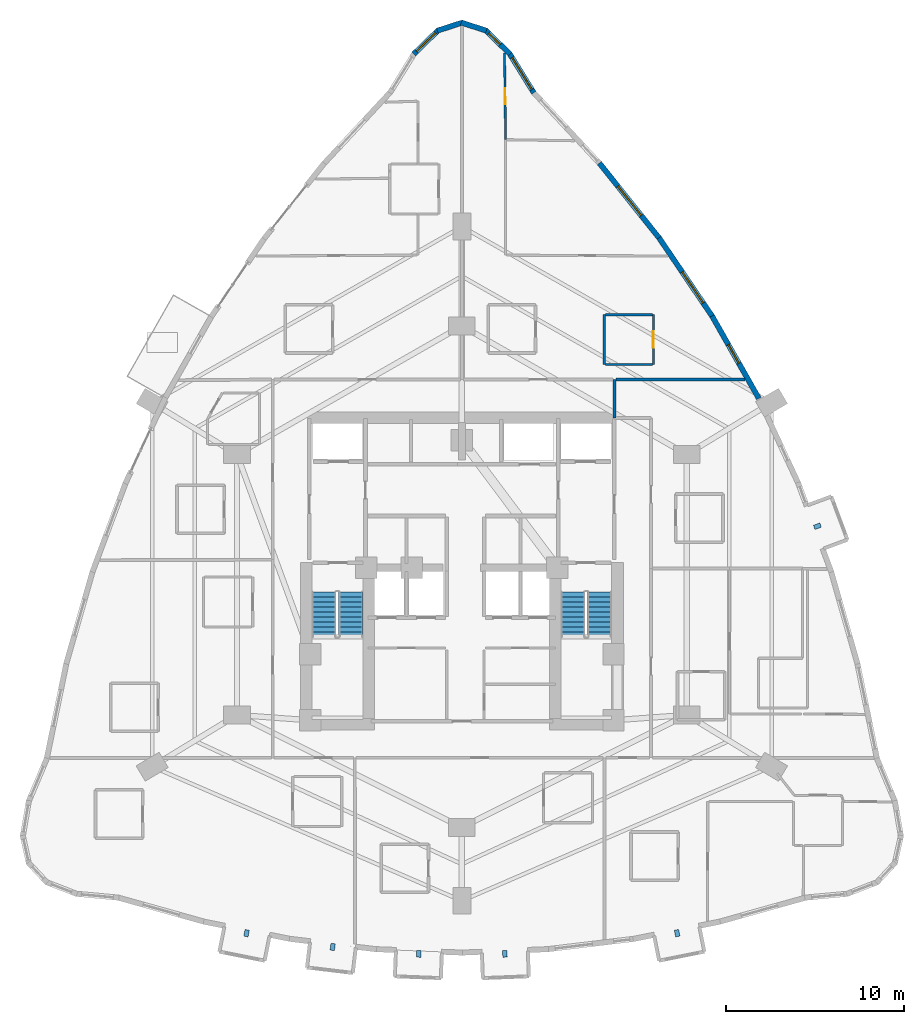
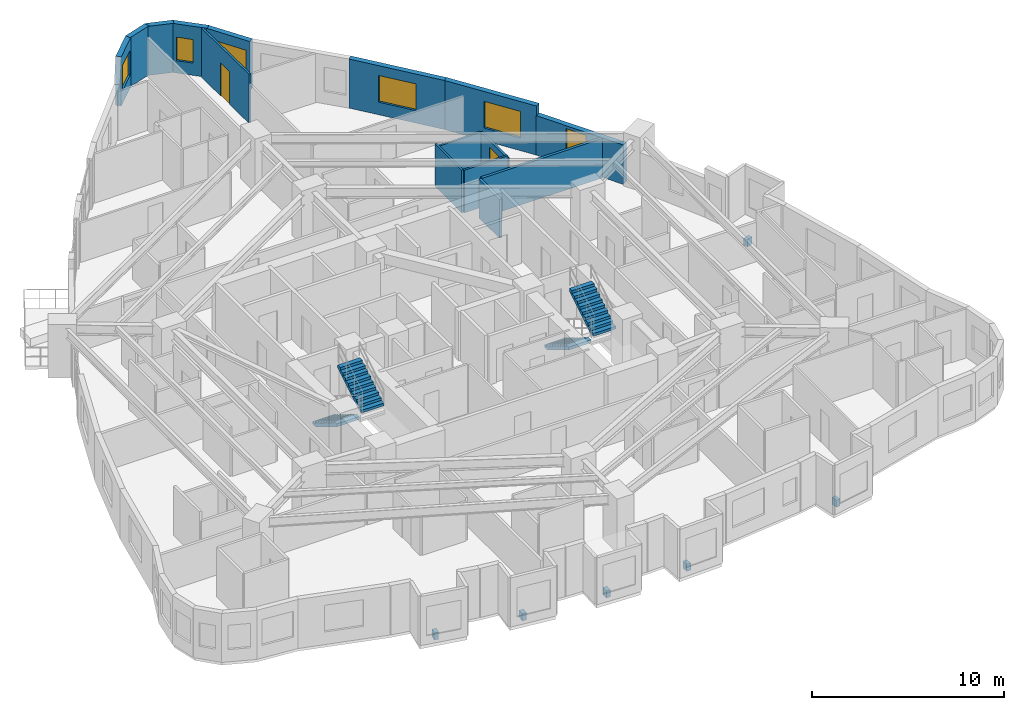
# One storey, part 16 of 17: 15 walls, 6 discrete accessories, 6 windows, 4 stair flights, 2 doors, 8 openings, 2 elements without a shape of their own.
"""IFC4 building model written with IfcOpenShell, lengths in metres."""

from ifc_helpers import new_model, si_unit, direction, frame, frame_2d, origin, origin_2d, place, context, subcontext, project, spatial, polyline, rectangle, outline, extrude, material, layer, layer_set, type_object, element, fill, aggregate, save


model = new_model("IFC4")

# Units and contexts
model_context = context("Model", 3, precision=1e-05, world=origin(), true_north=direction((0.0, 1.0)))
body_context = subcontext(model_context, "Body", "Model", "MODEL_VIEW")
ifc_project = project(units=[si_unit("LENGTHUNIT", "METRE"), si_unit("AREAUNIT", "SQUARE_METRE"), si_unit("VOLUMEUNIT", "CUBIC_METRE"), si_unit("PLANEANGLEUNIT", "RADIAN"), si_unit("MASSUNIT", "GRAM", prefix="KILO")], contexts=[model_context])

# Site, building, storey
site_placement = place(None, origin())
site = spatial("IfcSite", under=ifc_project, at=site_placement, CompositionType="ELEMENT")
building_placement = place(site_placement, origin())
building = spatial("IfcBuilding", under=site, at=building_placement, Name="Miruveldt Soraemaru", CompositionType="ELEMENT")
storey_placement = place(building_placement, frame((0.0, 0.0, 53.0)))
storey = spatial("IfcBuildingStorey", under=building, at=storey_placement, Name="L14", CompositionType="ELEMENT", Elevation=53.0)

# Wall, opening, window
ifc_material_1 = material(Name="Precast concrete C45/55 (45 MPa)", Category="concrete")
ifc_layer_1 = layer(ifc_material_1, 0.300048828125, Name="Precast concrete C45/55 (45 MPa)", Category="concrete")
ifc_layer_set_1 = layer_set([ifc_layer_1], Name="Precast concrete C45/55 (45 MPa)")
wall_type_1 = type_object("IfcWallType", Name="WALL-EXT-PC300", PredefinedType="SOLIDWALL", material=ifc_layer_set_1)
wall_1_placement = place(storey_placement, frame((48.034912109375, 70.666748046875, 0.0), z_axis=(0.0, 0.0, 1.0), x_axis=(-0.526091034917, 0.850428258573, 0.0)))
wall_1 = element("IfcWall", 1, at=wall_1_placement, inside=storey, type_object=wall_type_1, Name="L14 Precast Concrete Facade Wall 1", PredefinedType="SOLIDWALL", context=body_context, shape_type="SweptSolid", body=[
    extrude(rectangle(XDim=2.614990234375, YDim=0.300048828125, at=frame_2d((1.3076171875, 0.0))), origin(), (0.0, 0.0, 1.0), 3.125),
])
opening_1_placement = place(wall_1_placement, frame((0.216064453125, 0.0, 0.800048828125)))
opening_1 = element("IfcOpeningElement", 2, at=opening_1_placement, cuts=wall_1, Name="Opening WN-1", PredefinedType="OPENING", context=body_context, shape_type="SweptSolid", body=[
    extrude(rectangle(XDim=2.10009765625, YDim=1.699951171875, at=frame_2d((1.050048828125, 0.85009765625))), frame((0.0, 0.16015625, 0.0), z_axis=(0.0, -1.0, 0.0), x_axis=(1.0, 0.0, 0.0)), (0.0, 0.0, 1.0), 0.320068359375),
])
ifc_material_2 = material(Name="Triple low-e insulated glazing", Category="glass")
window_type_1 = type_object("IfcWindowType", Name="WIN-PUNCH-2100x1700", PartitioningType="SINGLE_PANEL", PredefinedType="WINDOW", material=ifc_material_2)
window_1_placement = place(opening_1_placement, origin())
window_1 = element("IfcWindow", 3, at=window_1_placement, inside=storey, type_object=window_type_1, Name="L14 Punched Triple-Glazed Window 01.1", OverallHeight=1.699951171875, OverallWidth=2.10009765625, PartitioningType="SINGLE_PANEL", PredefinedType="WINDOW", context=body_context, shape_type="SweptSolid", body=[
    extrude(rectangle(XDim=2.10009765625, YDim=1.699951171875, at=frame_2d((1.050048828125, 0.85009765625))), frame((0.0, 0.030029296875, 0.0), z_axis=(0.0, -1.0, 0.0), x_axis=(1.0, 0.0, 0.0)), (0.0, 0.0, 1.0), 0.06005859375),
])
fill(opening_1, window_1)

wall_2_placement = place(storey_placement, frame((46.702880859375, 72.83642578125, 0.0), z_axis=(0.0, 0.0, 1.0), x_axis=(-0.717810593765, 0.69623843005, 0.0)))
wall_2 = element("IfcWall", 4, at=wall_2_placement, inside=storey, type_object=wall_type_1, Name="L14 Precast Concrete Facade Wall 2", PredefinedType="SOLIDWALL", context=body_context, shape_type="SweptSolid", body=[
    extrude(rectangle(XDim=1.935302734375, YDim=0.300048828125, at=frame_2d((0.9677734375, 0.0))), origin(), (0.0, 0.0, 1.0), 3.125),
])
opening_2_placement = place(wall_2_placement, frame((0.77392578125, 0.0, 0.780029296875)))
opening_2 = element("IfcOpeningElement", 5, at=opening_2_placement, cuts=wall_2, Name="Opening WN-7", PredefinedType="OPENING", context=body_context, shape_type="SweptSolid", body=[
    extrude(rectangle(XDim=0.89990234375, YDim=1.5, at=frame_2d((0.449951171875, 0.75))), frame((0.0, 0.16015625, 0.0), z_axis=(0.0, -1.0, 0.0), x_axis=(1.0, 0.0, 0.0)), (0.0, 0.0, 1.0), 0.320068359375),
])
window_type_2 = type_object("IfcWindowType", Name="WIN-PUNCH-900x1500", PartitioningType="SINGLE_PANEL", PredefinedType="WINDOW", material=ifc_material_2)
window_2_placement = place(opening_2_placement, origin())
window_2 = element("IfcWindow", 6, at=window_2_placement, inside=storey, type_object=window_type_2, Name="L14 Punched Triple-Glazed Window 02.1", OverallHeight=1.5, OverallWidth=0.89990234375, PartitioningType="SINGLE_PANEL", PredefinedType="WINDOW", context=body_context, shape_type="SweptSolid", body=[
    extrude(rectangle(XDim=0.89990234375, YDim=1.5, at=frame_2d((0.449951171875, 0.75))), frame((0.0, 0.030029296875, 0.0), z_axis=(0.0, -1.0, 0.0), x_axis=(1.0, 0.0, 0.0)), (0.0, 0.0, 1.0), 0.06005859375),
])
fill(opening_2, window_2)

# Walls
for number, where, z_axis, x_axis, name in (
    (7, (45.3720703125, 74.148681640625, 0.0), (0.0, 0.0, 1.0), (-0.951455908845, 0.307785076836, 0.0), "L14 Precast Concrete Facade Wall 3"),
    (8, (44.033203125, 74.603271484375, 0.0), (0.0, 0.0, 1.0), (-0.951455908845, -0.307785076836, 0.0), "L14 Precast Concrete Facade Wall 4"),
):
    element("IfcWall", number, at=place(storey_placement, frame(where, z_axis=z_axis, x_axis=x_axis)), inside=storey, type_object=wall_type_1, Name=name, PredefinedType="SOLIDWALL", context=body_context, shape_type="SweptSolid", body=[
        extrude(rectangle(XDim=1.47705078125, YDim=0.300048828125, at=frame_2d((0.738525390625, 0.0))), origin(), (0.0, 0.0, 1.0), 3.125),
    ])

# Wall, opening, window
wall_3_placement = place(storey_placement, frame((42.686279296875, 74.183837890625, 0.0), z_axis=(0.0, 0.0, 1.0), x_axis=(-0.717810593765, -0.69623843005, 0.0)))
wall_3 = element("IfcWall", 9, at=wall_3_placement, inside=storey, type_object=wall_type_1, Name="L14 Precast Concrete Facade Wall 5", PredefinedType="SOLIDWALL", context=body_context, shape_type="SweptSolid", body=[
    extrude(rectangle(XDim=1.935302734375, YDim=0.300048828125, at=frame_2d((0.9677734375, 0.0))), origin(), (0.0, 0.0, 1.0), 3.125),
])
opening_3_placement = place(wall_3_placement, frame((0.217041015625, 0.0, 0.800048828125)))
opening_3 = element("IfcOpeningElement", 10, at=opening_3_placement, cuts=wall_3, Name="Opening WN-3", PredefinedType="OPENING", context=body_context, shape_type="SweptSolid", body=[
    extrude(rectangle(XDim=1.5, YDim=1.60009765625, at=frame_2d((0.75, 0.800048828125))), frame((0.0, 0.16015625, 0.0), z_axis=(0.0, -1.0, 0.0), x_axis=(1.0, 0.0, 0.0)), (0.0, 0.0, 1.0), 0.320068359375),
])
window_type_3 = type_object("IfcWindowType", Name="WIN-PUNCH-1500x1600", PartitioningType="SINGLE_PANEL", PredefinedType="WINDOW", material=ifc_material_2)
window_3_placement = place(opening_3_placement, origin())
window_3 = element("IfcWindow", 11, at=window_3_placement, inside=storey, type_object=window_type_3, Name="L14 Punched Triple-Glazed Window 05.1", OverallHeight=1.60009765625, OverallWidth=1.5, PartitioningType="SINGLE_PANEL", PredefinedType="WINDOW", context=body_context, shape_type="SweptSolid", body=[
    extrude(rectangle(XDim=1.5, YDim=1.60009765625, at=frame_2d((0.75, 0.800048828125))), frame((0.0, 0.030029296875, 0.0), z_axis=(0.0, -1.0, 0.0), x_axis=(1.0, 0.0, 0.0)), (0.0, 0.0, 1.0), 0.06005859375),
])
fill(opening_3, window_3)

wall_4_placement = place(storey_placement, frame((60.648193359375, 53.531982421875, 0.0), z_axis=(0.0, 0.0, 1.0), x_axis=(-0.493372197002, 0.869818300121, 0.0)))
wall_4 = element("IfcWall", 12, at=wall_4_placement, inside=storey, type_object=wall_type_1, Name="L14 Precast Concrete Facade Wall 39", PredefinedType="SOLIDWALL", context=body_context, shape_type="SweptSolid", body=[
    extrude(rectangle(XDim=5.326416015625, YDim=0.300048828125, at=frame_2d((2.6630859375, 0.0))), origin(), (0.0, 0.0, 1.0), 2.512939453125),
])
opening_4_placement = place(wall_4_placement, frame((2.27294921875, 0.0, 0.780029296875)))
opening_4 = element("IfcOpeningElement", 13, at=opening_4_placement, cuts=wall_4, Name="Opening WN-4", PredefinedType="OPENING", context=body_context, shape_type="SweptSolid", body=[
    extrude(rectangle(XDim=1.199951171875, YDim=1.550048828125, at=frame_2d((0.60009765625, 0.77490234375))), frame((0.0, 0.16015625, 0.0), z_axis=(0.0, -1.0, 0.0), x_axis=(1.0, 0.0, 0.0)), (0.0, 0.0, 1.0), 0.320068359375),
])
window_type_4 = type_object("IfcWindowType", Name="WIN-PUNCH-1200x1550", PartitioningType="SINGLE_PANEL", PredefinedType="WINDOW", material=ifc_material_2)
window_4_placement = place(opening_4_placement, origin())
window_4 = element("IfcWindow", 14, at=window_4_placement, inside=storey, type_object=window_type_4, Name="L14 Punched Triple-Glazed Window 39.1", OverallHeight=1.550048828125, OverallWidth=1.199951171875, PartitioningType="SINGLE_PANEL", PredefinedType="WINDOW", context=body_context, shape_type="SweptSolid", body=[
    extrude(rectangle(XDim=1.199951171875, YDim=1.550048828125, at=frame_2d((0.60009765625, 0.77490234375))), frame((0.0, 0.030029296875, 0.0), z_axis=(0.0, -1.0, 0.0), x_axis=(1.0, 0.0, 0.0)), (0.0, 0.0, 1.0), 0.06005859375),
])
fill(opening_4, window_4)

wall_5_placement = place(storey_placement, frame((58.05712890625, 58.105712890625, 0.0), z_axis=(0.0, 0.0, 1.0), x_axis=(-0.560834045312, 0.827928241829, 0.0)))
wall_5 = element("IfcWall", 15, at=wall_5_placement, inside=storey, type_object=wall_type_1, Name="L14 Precast Concrete Facade Wall 40", PredefinedType="SOLIDWALL", context=body_context, shape_type="SweptSolid", body=[
    extrude(rectangle(XDim=5.360107421875, YDim=0.300048828125, at=frame_2d((2.68017578125, 0.0))), origin(), (0.0, 0.0, 1.0), 3.125),
])
opening_5_placement = place(wall_5_placement, frame((0.947998046875, 0.0, 0.800048828125)))
opening_5 = element("IfcOpeningElement", 16, at=opening_5_placement, cuts=wall_5, Name="Opening WN-1", PredefinedType="OPENING", context=body_context, shape_type="SweptSolid", body=[
    extrude(rectangle(XDim=2.10009765625, YDim=1.699951171875, at=frame_2d((1.050048828125, 0.85009765625))), frame((0.0, 0.16015625, 0.0), z_axis=(0.0, -1.0, 0.0), x_axis=(1.0, 0.0, 0.0)), (0.0, 0.0, 1.0), 0.320068359375),
])
window_5_placement = place(opening_5_placement, origin())
window_5 = element("IfcWindow", 17, at=window_5_placement, inside=storey, type_object=window_type_1, Name="L14 Punched Triple-Glazed Window 40.1", OverallHeight=1.699951171875, OverallWidth=2.10009765625, PartitioningType="SINGLE_PANEL", PredefinedType="WINDOW", context=body_context, shape_type="SweptSolid", body=[
    extrude(rectangle(XDim=2.10009765625, YDim=1.699951171875, at=frame_2d((1.050048828125, 0.85009765625))), frame((0.0, 0.030029296875, 0.0), z_axis=(0.0, -1.0, 0.0), x_axis=(1.0, 0.0, 0.0)), (0.0, 0.0, 1.0), 0.06005859375),
])
fill(opening_5, window_5)

wall_6_placement = place(storey_placement, frame((55.092529296875, 62.487060546875, 0.0), z_axis=(0.0, 0.0, 1.0), x_axis=(-0.623602613037, 0.781741505239, 0.0)))
wall_6 = element("IfcWall", 18, at=wall_6_placement, inside=storey, type_object=wall_type_1, Name="L14 Precast Concrete Facade Wall 41", PredefinedType="SOLIDWALL", context=body_context, shape_type="SweptSolid", body=[
    extrude(rectangle(XDim=5.426513671875, YDim=0.300048828125, at=frame_2d((2.71337890625, 0.0))), origin(), (0.0, 0.0, 1.0), 3.125),
])
opening_6_placement = place(wall_6_placement, frame((1.6630859375, 0.0, 0.800048828125)))
opening_6 = element("IfcOpeningElement", 19, at=opening_6_placement, cuts=wall_6, Name="Opening WN-1", PredefinedType="OPENING", context=body_context, shape_type="SweptSolid", body=[
    extrude(rectangle(XDim=2.10009765625, YDim=1.699951171875, at=frame_2d((1.050048828125, 0.85009765625))), frame((0.0, 0.16015625, 0.0), z_axis=(0.0, -1.0, 0.0), x_axis=(1.0, 0.0, 0.0)), (0.0, 0.0, 1.0), 0.320068359375),
])
window_6_placement = place(opening_6_placement, origin())
window_6 = element("IfcWindow", 20, at=window_6_placement, inside=storey, type_object=window_type_1, Name="L14 Punched Triple-Glazed Window 41.1", OverallHeight=1.699951171875, OverallWidth=2.10009765625, PartitioningType="SINGLE_PANEL", PredefinedType="WINDOW", context=body_context, shape_type="SweptSolid", body=[
    extrude(rectangle(XDim=2.10009765625, YDim=1.699951171875, at=frame_2d((1.050048828125, 0.85009765625))), frame((0.0, 0.030029296875, 0.0), z_axis=(0.0, -1.0, 0.0), x_axis=(1.0, 0.0, 0.0)), (0.0, 0.0, 1.0), 0.06005859375),
])
fill(opening_6, window_6)

# Wall, opening, door
ifc_material_3 = material(Name="Gypsum plasterboard lining", Category="gypsum")
ifc_layer_2 = layer(ifc_material_3, 0.1201171875, Name="Gypsum plasterboard lining", Category="gypsum")
ifc_layer_set_2 = layer_set([ifc_layer_2], Name="Gypsum plasterboard lining")
wall_type_2 = type_object("IfcWallType", Name="WALL-INT-P120", PredefinedType="PARTITIONING", material=ifc_layer_set_2)
wall_7_placement = place(storey_placement, frame((46.449951171875, 68.0380859375, 0.0), z_axis=(0.0, 0.0, 1.0), x_axis=(-0.012078713797, 0.999927049676, 0.0)))
wall_7 = element("IfcWall", 21, at=wall_7_placement, inside=storey, type_object=wall_type_2, Name="L14 Partition Wall 40", PredefinedType="PARTITIONING", context=body_context, shape_type="SweptSolid", body=[
    extrude(rectangle(XDim=4.87109375, YDim=0.1201171875, at=frame_2d((2.435546875, 0.0))), origin(), (0.0, 0.0, 1.0), 3.125),
])
opening_7_placement = place(wall_7_placement, frame((1.97607421875, 0.0, 0.0)))
opening_7 = element("IfcOpeningElement", 22, at=opening_7_placement, cuts=wall_7, Name="Opening D3A", PredefinedType="OPENING", context=body_context, shape_type="SweptSolid", body=[
    extrude(rectangle(XDim=0.919921875, YDim=2.10009765625, at=frame_2d((0.4599609375, 1.050048828125))), frame((0.0, 0.070068359375, 0.0), z_axis=(0.0, -1.0, 0.0), x_axis=(1.0, 0.0, 0.0)), (0.0, 0.0, 1.0), 0.14013671875),
])
ifc_material_4 = material(Name="Anodised aluminium EN AW-6063 T6", Category="aluminium")
door_type = type_object("IfcDoorType", Name="DOOR-INT-920", OperationType="NOTDEFINED", PredefinedType="DOOR", material=ifc_material_4)
door_1_placement = place(opening_7_placement, origin())
door_1 = element("IfcDoor", 23, at=door_1_placement, inside=storey, type_object=door_type, Name="L14 Unit 1402 BD2 Door", OperationType="SINGLE_SWING_LEFT", OverallHeight=2.10009765625, OverallWidth=0.919921875, PredefinedType="DOOR", context=body_context, shape_type="SweptSolid", body=[
    extrude(rectangle(XDim=0.919921875, YDim=2.10009765625, at=frame_2d((0.4599609375, 1.050048828125))), frame((0.0, 0.02490234375, 0.0), z_axis=(0.0, -1.0, 0.0), x_axis=(1.0, 0.0, 0.0)), (0.0, 0.0, 1.0), 0.050048828125),
])
fill(opening_7, door_1)

wall_8_placement = place(storey_placement, frame((54.72998046875, 55.429931640625, 0.0), z_axis=(0.0, 0.0, 1.0), x_axis=(0.0, 1.0, 0.0)))
wall_8 = element("IfcWall", 24, at=wall_8_placement, inside=storey, type_object=wall_type_2, Name="L14 Partition Wall 34", PredefinedType="PARTITIONING", context=body_context, shape_type="SweptSolid", body=[
    extrude(rectangle(XDim=2.800048828125, YDim=0.1201171875, at=frame_2d((1.39990234375, 0.0))), origin(), (0.0, 0.0, 1.0), 2.512939453125),
])
opening_8_placement = place(wall_8_placement, frame((0.93994140625, 0.0, 0.0)))
opening_8 = element("IfcOpeningElement", 25, at=opening_8_placement, cuts=wall_8, Name="Opening D3A", PredefinedType="OPENING", context=body_context, shape_type="SweptSolid", body=[
    extrude(rectangle(XDim=0.919921875, YDim=2.10009765625, at=frame_2d((0.4599609375, 1.050048828125))), frame((0.0, 0.070068359375, 0.0), z_axis=(0.0, -1.0, 0.0), x_axis=(1.0, 0.0, 0.0)), (0.0, 0.0, 1.0), 0.14013671875),
])
door_2_placement = place(opening_8_placement, origin())
door_2 = element("IfcDoor", 26, at=door_2_placement, inside=storey, type_object=door_type, Name="L14 Unit 1402 KIT Door", OperationType="SINGLE_SWING_LEFT", OverallHeight=2.10009765625, OverallWidth=0.919921875, PredefinedType="DOOR", context=body_context, shape_type="SweptSolid", body=[
    extrude(rectangle(XDim=0.919921875, YDim=2.10009765625, at=frame_2d((0.4599609375, 1.050048828125))), frame((0.0, 0.02490234375, 0.0), z_axis=(0.0, -1.0, 0.0), x_axis=(1.0, 0.0, 0.0)), (0.0, 0.0, 1.0), 0.050048828125),
])
fill(opening_8, door_2)

# Walls
wall_9_placement = place(storey_placement, frame((51.97998046875, 58.22998046875, 0.0), z_axis=(0.0, 0.0, 1.0), x_axis=(0.0, -1.0, 0.0)))
element("IfcWall", 27, at=wall_9_placement, inside=storey, type_object=wall_type_2, Name="L14 Partition Wall 36", PredefinedType="PARTITIONING", context=body_context, shape_type="SweptSolid", body=[
    extrude(rectangle(XDim=2.800048828125, YDim=0.1201171875, at=frame_2d((1.39990234375, 0.0))), origin(), (0.0, 0.0, 1.0), 2.712890625),
])
wall_10_placement = place(storey_placement, frame((54.669921875, 58.22998046875, 0.0), z_axis=(0.0, 0.0, 1.0), x_axis=(-1.0, 0.0, 0.0)))
element("IfcWall", 28, at=wall_10_placement, inside=storey, type_object=wall_type_2, Name="L14 Partition Wall 35", PredefinedType="PARTITIONING", context=body_context, shape_type="SweptSolid", body=[
    extrude(rectangle(XDim=2.6298828125, YDim=0.1201171875, at=frame_2d((1.31494140625, 0.0))), origin(), (0.0, 0.0, 1.0), 2.512939453125),
])
wall_11_placement = place(storey_placement, frame((52.0400390625, 55.429931640625, 0.0), z_axis=(0.0, 0.0, 1.0), x_axis=(1.0, 0.0, 0.0)))
element("IfcWall", 29, at=wall_11_placement, inside=storey, type_object=wall_type_2, Name="L14 Partition Wall 37", PredefinedType="PARTITIONING", context=body_context, shape_type="SweptSolid", body=[
    extrude(rectangle(XDim=2.6298828125, YDim=0.1201171875, at=frame_2d((1.31494140625, 0.0))), origin(), (0.0, 0.0, 1.0), 2.712890625),
])
ifc_material_5 = material(Name="Concrete C40/50 (40 MPa)", Category="concrete")
ifc_layer_3 = layer(ifc_material_5, 0.159912109375, Name="Concrete C40/50 (40 MPa)", Category="concrete")
ifc_layer_set_3 = layer_set([ifc_layer_3], Name="Concrete C40/50 (40 MPa)")
wall_type_3 = type_object("IfcWallType", Name="WALL-INT-RC160", PredefinedType="SOLIDWALL", material=ifc_layer_set_3)
wall_12_placement = place(storey_placement, frame((52.633056640625, 54.60009765625, 0.0), z_axis=(0.0, 0.0, 1.0), x_axis=(0.999999854046, -0.000540284921, 0.0)))
element("IfcWall", 30, at=wall_12_placement, inside=storey, type_object=wall_type_3, Name="L14 Partition Wall 41", PredefinedType="SOLIDWALL", context=body_context, shape_type="SweptSolid", body=[
    extrude(rectangle(XDim=7.22998046875, YDim=0.159912109375, at=frame_2d((3.614990234375, 0.0))), origin(), (0.0, 0.0, 1.0), 2.512939453125),
])
wall_13_placement = place(storey_placement, frame((52.550048828125, 52.449951171875, 0.0), z_axis=(0.0, 0.0, 1.0), x_axis=(0.0, 1.0, 0.0)))
element("IfcWall", 31, at=wall_13_placement, inside=storey, type_object=wall_type_3, Name="L14 Partition Wall 8", PredefinedType="SOLIDWALL", context=body_context, shape_type="SweptSolid", body=[
    extrude(rectangle(XDim=2.14697265625, YDim=0.159912109375, at=frame_2d((1.073486328125, 0.0))), origin(), (0.0, 0.0, 1.0), 2.462890625),
])

# Stair, stair flights
stair_type = type_object("IfcStairType", Name="STAIR-DL-340", PredefinedType="HALF_TURN_STAIR", material=ifc_material_5)
stair_1_placement = place(storey_placement, origin())
stair_1 = element("IfcStair", 32, at=stair_1_placement, inside=storey, type_object=stair_type, Name="L14 Protected Exit Stair ST-1", PredefinedType="HALF_TURN_STAIR")
stair_flight_type = type_object("IfcStairFlightType", Name="SFL-DL-340", PredefinedType="STRAIGHT", material=ifc_material_5)
stair_flight_1_placement = place(storey_placement, frame((36.27490234375, 42.699951171875, 0.0), z_axis=(0.0, 0.0, 1.0), x_axis=(0.0, -1.0, 0.0)))
stair_flight_1 = element("IfcStairFlight", 33, at=stair_flight_1_placement, type_object=stair_flight_type, Name="ST-1 flight 1", NumberOfRisers=10, NumberOfTreads=9, PredefinedType="STRAIGHT", RiserHeight=0.17, TreadLength=0.28, context=body_context, shape_type="SweptSolid", body=[
    extrude(outline(polyline([(0.0, 0.0), (0.0, 0.169921875), (0.280029296875, 0.169921875), (0.280029296875, 0.340087890625), (0.56005859375, 0.340087890625), (0.56005859375, 0.510009765625), (0.840087890625, 0.510009765625), (0.840087890625, 0.679931640625), (1.1201171875, 0.679931640625), (1.1201171875, 0.85009765625), (1.39990234375, 0.85009765625), (1.39990234375, 1.02001953125), (1.679931640625, 1.02001953125), (1.679931640625, 1.18994140625), (1.9599609375, 1.18994140625), (1.9599609375, 1.360107421875), (2.239990234375, 1.360107421875), (2.239990234375, 1.530029296875), (2.52001953125, 1.530029296875), (2.52001953125, 1.699951171875), (2.52001953125, 1.343017578125), (0.30810546875, 0.0), (0.0, 0.0)])), frame((0.0, 0.675048828125, 0.0), z_axis=(0.0, -1.0, 0.0), x_axis=(1.0, 0.0, 0.0)), (0.0, 0.0, 1.0), 1.35009765625),
])
stair_flight_2_placement = place(storey_placement, frame((37.77490234375, 40.179931640625, 1.699951171875), z_axis=(0.0, 0.0, 1.0), x_axis=(0.0, 1.0, 0.0)))
stair_flight_2 = element("IfcStairFlight", 34, at=stair_flight_2_placement, type_object=stair_flight_type, Name="ST-1 flight 2", NumberOfRisers=10, NumberOfTreads=9, PredefinedType="STRAIGHT", RiserHeight=0.17, TreadLength=0.28, context=body_context, shape_type="SweptSolid", body=[
    extrude(outline(polyline([(0.0, 0.0), (0.0, 0.169921875), (0.280029296875, 0.169921875), (0.280029296875, 0.340087890625), (0.56005859375, 0.340087890625), (0.56005859375, 0.510009765625), (0.840087890625, 0.510009765625), (0.840087890625, 0.679931640625), (1.1201171875, 0.679931640625), (1.1201171875, 0.85009765625), (1.39990234375, 0.85009765625), (1.39990234375, 1.02001953125), (1.679931640625, 1.02001953125), (1.679931640625, 1.18994140625), (1.9599609375, 1.18994140625), (1.9599609375, 1.360107421875), (2.239990234375, 1.360107421875), (2.239990234375, 1.530029296875), (2.52001953125, 1.530029296875), (2.52001953125, 1.699951171875), (2.52001953125, 1.343017578125), (0.30810546875, 0.0), (0.0, 0.0)])), frame((0.0, 0.675048828125, 0.0), z_axis=(0.0, -1.0, 0.0), x_axis=(1.0, 0.0, 0.0)), (0.0, 0.0, 1.0), 1.35009765625),
])
aggregate(stair_1, [stair_flight_1, stair_flight_2])

stair_2_placement = place(storey_placement, origin())
stair_2 = element("IfcStair", 35, at=stair_2_placement, inside=storey, type_object=stair_type, Name="L14 Protected Exit Stair ST-2", PredefinedType="HALF_TURN_STAIR")
stair_flight_3_placement = place(storey_placement, frame((50.22509765625, 42.699951171875, 0.0), z_axis=(0.0, 0.0, 1.0), x_axis=(0.0, -1.0, 0.0)))
stair_flight_3 = element("IfcStairFlight", 36, at=stair_flight_3_placement, type_object=stair_flight_type, Name="ST-2 flight 1", NumberOfRisers=10, NumberOfTreads=9, PredefinedType="STRAIGHT", RiserHeight=0.17, TreadLength=0.28, context=body_context, shape_type="SweptSolid", body=[
    extrude(outline(polyline([(0.0, 0.0), (0.0, 0.169921875), (0.280029296875, 0.169921875), (0.280029296875, 0.340087890625), (0.56005859375, 0.340087890625), (0.56005859375, 0.510009765625), (0.840087890625, 0.510009765625), (0.840087890625, 0.679931640625), (1.1201171875, 0.679931640625), (1.1201171875, 0.85009765625), (1.39990234375, 0.85009765625), (1.39990234375, 1.02001953125), (1.679931640625, 1.02001953125), (1.679931640625, 1.18994140625), (1.9599609375, 1.18994140625), (1.9599609375, 1.360107421875), (2.239990234375, 1.360107421875), (2.239990234375, 1.530029296875), (2.52001953125, 1.530029296875), (2.52001953125, 1.699951171875), (2.52001953125, 1.343017578125), (0.30810546875, 0.0), (0.0, 0.0)])), frame((0.0, 0.675048828125, 0.0), z_axis=(0.0, -1.0, 0.0), x_axis=(1.0, 0.0, 0.0)), (0.0, 0.0, 1.0), 1.35009765625),
])
stair_flight_4_placement = place(storey_placement, frame((51.72509765625, 40.179931640625, 1.699951171875), z_axis=(0.0, 0.0, 1.0), x_axis=(0.0, 1.0, 0.0)))
stair_flight_4 = element("IfcStairFlight", 37, at=stair_flight_4_placement, type_object=stair_flight_type, Name="ST-2 flight 2", NumberOfRisers=10, NumberOfTreads=9, PredefinedType="STRAIGHT", RiserHeight=0.17, TreadLength=0.28, context=body_context, shape_type="SweptSolid", body=[
    extrude(outline(polyline([(0.0, 0.0), (0.0, 0.169921875), (0.280029296875, 0.169921875), (0.280029296875, 0.340087890625), (0.56005859375, 0.340087890625), (0.56005859375, 0.510009765625), (0.840087890625, 0.510009765625), (0.840087890625, 0.679931640625), (1.1201171875, 0.679931640625), (1.1201171875, 0.85009765625), (1.39990234375, 0.85009765625), (1.39990234375, 1.02001953125), (1.679931640625, 1.02001953125), (1.679931640625, 1.18994140625), (1.9599609375, 1.18994140625), (1.9599609375, 1.360107421875), (2.239990234375, 1.360107421875), (2.239990234375, 1.530029296875), (2.52001953125, 1.530029296875), (2.52001953125, 1.699951171875), (2.52001953125, 1.343017578125), (0.30810546875, 0.0), (0.0, 0.0)])), frame((0.0, 0.675048828125, 0.0), z_axis=(0.0, -1.0, 0.0), x_axis=(1.0, 0.0, 0.0)), (0.0, 0.0, 1.0), 1.35009765625),
])
aggregate(stair_2, [stair_flight_3, stair_flight_4])

# Discrete accessories
ifc_material_6 = material(Name="Steel SM355 (355 MPa)", Category="steel")
discrete_accessory_type = type_object("IfcDiscreteAccessoryType", Name="ACC-BAY-BRK", PredefinedType="BRACKET", material=ifc_material_6)
for number, where, z_axis, x_axis, name in (
    (38, (31.935546875, 23.570068359375, -0.72021484375), (0.0, 0.0, 1.0), (-0.196117290802, -0.980580444557, 0.0), "L14 Bay Window Cantilever Bracket 1"),
    (39, (36.760986328125, 22.7978515625, -0.72021484375), (0.0, 0.0, 1.0), (-0.119149147143, -0.992876367296, 0.0), "L14 Bay Window Cantilever Bracket 2"),
    (40, (41.5869140625, 22.411865234375, -0.72021484375), (0.0, 0.0, 1.0), (-0.039957399602, -0.999201384215, 0.0), "L14 Bay Window Cantilever Bracket 3"),
    (41, (46.4130859375, 22.411865234375, -0.72021484375), (0.0, 0.0, 1.0), (0.039957399602, -0.999201384215, 0.0), "L14 Bay Window Cantilever Bracket 4"),
    (42, (56.064453125, 23.570068359375, -0.72021484375), (0.0, 0.0, 1.0), (0.196117290802, -0.980580444557, 0.0), "L14 Bay Window Cantilever Bracket 5"),
    (43, (63.924072265625, 46.37451171875, -0.72021484375), (0.0, 0.0, 1.0), (0.93711153314, 0.349030048069, 0.0), "L14 Bay Window Cantilever Bracket 6"),
):
    element("IfcDiscreteAccessory", number, at=place(storey_placement, frame(where, z_axis=z_axis, x_axis=x_axis)), inside=storey, type_object=discrete_accessory_type, Name=name, PredefinedType="BRACKET", context=body_context, shape_type="SweptSolid", body=[
        extrude(rectangle(XDim=0.3798828125, YDim=0.25, at=origin_2d()), origin(), (0.0, 0.0, 1.0), 0.449951171875),
    ])

save(model, "model.ifc")
